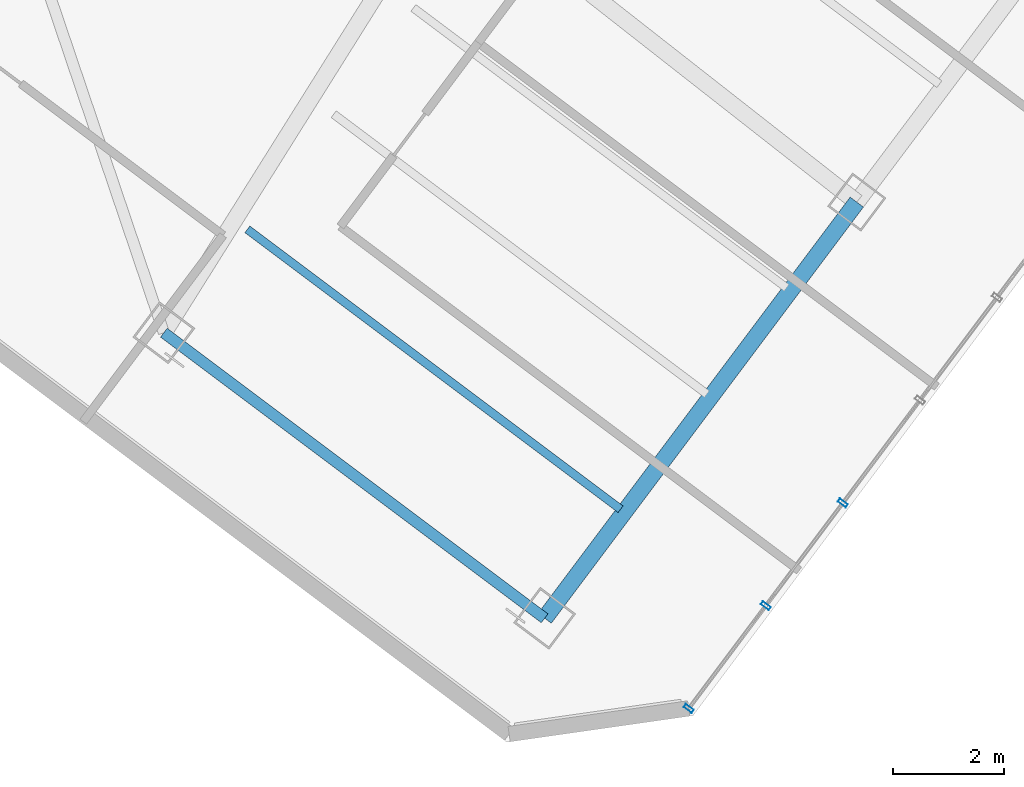
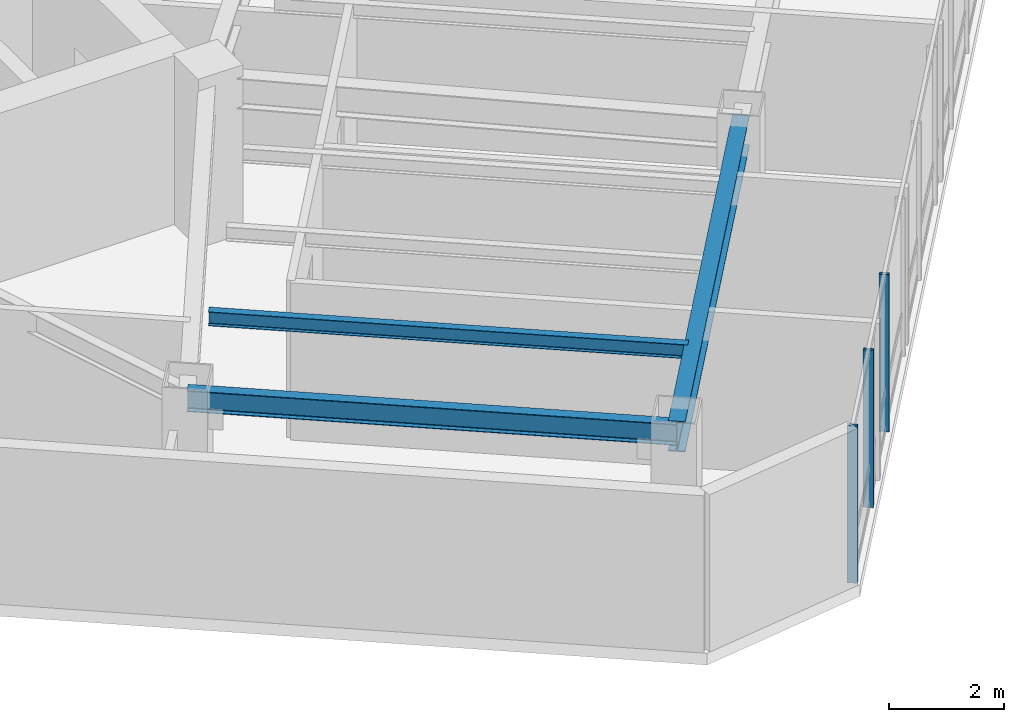
# One storey, part 10 of 27: 3 beams, 3 members, 1 element without a shape of its own.
"""IFC4 building model written with IfcOpenShell, lengths in metres."""

from ifc_helpers import new_model, si_unit, direction, frame, origin, origin_2d, place, context, subcontext, project, spatial, hollow_rectangle, i_section, extrude, material, layer, layer_set, material_profile, profile_set, type_object, element, aggregate, save


model = new_model("IFC4")

# Units and contexts
model_context = context("Model", 3, precision=1e-05, world=origin(), true_north=direction((0.0, 1.0)))
body_context = subcontext(model_context, "Body", "Model", "MODEL_VIEW")
ifc_project = project(units=[si_unit("LENGTHUNIT", "METRE"), si_unit("AREAUNIT", "SQUARE_METRE"), si_unit("VOLUMEUNIT", "CUBIC_METRE"), si_unit("PLANEANGLEUNIT", "RADIAN"), si_unit("MASSUNIT", "GRAM", prefix="KILO")], contexts=[model_context])

# Site, building, storey
site_placement = place(None, origin())
site = spatial("IfcSite", under=ifc_project, at=site_placement, CompositionType="ELEMENT")
building_placement = place(site_placement, origin())
building = spatial("IfcBuilding", under=site, at=building_placement, Name="Hatsunagi Terrace Concourse", CompositionType="ELEMENT")
storey_placement = place(building_placement, frame((0.0, 0.0, 163.64990234375)))
storey = spatial("IfcBuildingStorey", under=building, at=storey_placement, Name="L43", CompositionType="ELEMENT", Elevation=163.64990234375)

# Curtain wall, members
ifc_material_1 = material(Name="Anodised Aluminium Alloy 6063-T5", Category="aluminium")
ifc_layer = layer(ifc_material_1, 0.199951171875)
ifc_layer_set = layer_set([ifc_layer], Name="OfficeZone1_CW03")
curtain_wall_type = type_object("IfcCurtainWallType", Name="OfficeZone1_CW03", PredefinedType="NOTDEFINED", material=ifc_layer_set)
curtain_wall_placement = place(storey_placement, origin())
curtain_wall = element("IfcCurtainWall", 1, at=curtain_wall_placement, inside=storey, type_object=curtain_wall_type, Name="Unitised Curtain Wall CW-03 CW-L43-03", PredefinedType="NOTDEFINED")
ifc_material_2 = material(Name="Anodised Aluminium Alloy 6063-T5", Category="aluminium")
ifc_material_profile_1 = material_profile(ifc_material_2, hollow_rectangle(XDim=0.070068359375, YDim=0.179931640625, WallThickness=0.00390625, at=origin_2d()), Name="ALU-MUL-180x70x4")
ifc_profile_set_1 = profile_set([ifc_material_profile_1], Name="Anodised Aluminium Alloy 6063-T5")
member_type = type_object("IfcMemberType", Name="CurtainWallMullion_180x70", PredefinedType="MULLION", material=ifc_profile_set_1)
member_1_placement = place(storey_placement, frame((50.947021484375, 12.962890625, 0.0), z_axis=(0.0, 0.0, 1.0), x_axis=(-0.599969314634, -0.800023013105, 0.0)))
member_1 = element("IfcMember", 2, at=member_1_placement, type_object=member_type, Name="Curtain Wall Mullion MUL-02", PredefinedType="MULLION", context=body_context, shape_type="SweptSolid", body=[
    extrude(hollow_rectangle(XDim=0.070068359375, YDim=0.179931640625, WallThickness=0.00390625, at=origin_2d()), origin(), (0.0, 0.0, 1.0), 3.35009765625),
])
member_2_placement = place(storey_placement, frame((49.554931640625, 11.10595703125, 0.0), z_axis=(0.0, 0.0, 1.0), x_axis=(-0.599969314634, -0.800023013105, 0.0)))
member_2 = element("IfcMember", 3, at=member_2_placement, type_object=member_type, Name="Curtain Wall Mullion MUL-02", PredefinedType="MULLION", context=body_context, shape_type="SweptSolid", body=[
    extrude(hollow_rectangle(XDim=0.070068359375, YDim=0.179931640625, WallThickness=0.00390625, at=origin_2d()), origin(), (0.0, 0.0, 1.0), 3.35009765625),
])
member_3_placement = place(storey_placement, frame((48.1630859375, 9.25, 0.0), z_axis=(0.0, 0.0, 1.0), x_axis=(-0.599969314634, -0.800023013105, 0.0)))
member_3 = element("IfcMember", 4, at=member_3_placement, type_object=member_type, Name="Curtain Wall Mullion MUL-02", PredefinedType="MULLION", context=body_context, shape_type="SweptSolid", body=[
    extrude(hollow_rectangle(XDim=0.070068359375, YDim=0.179931640625, WallThickness=0.00390625, at=origin_2d()), origin(), (0.0, 0.0, 1.0), 3.35009765625),
])
aggregate(curtain_wall, [member_1, member_2, member_3])

# Beams
ifc_material_3 = material(Name="Steel SN490B", Category="steel")
ifc_material_profile_2 = material_profile(ifc_material_3, i_section(OverallWidth=0.14990234375, OverallDepth=0.300048828125, WebThickness=0.006591796875, FlangeThickness=0.009033203125, FilletRadius=0.010986328125, at=origin_2d()), Name="H-300x150x6.5x9")
ifc_profile_set_2 = profile_set([ifc_material_profile_2], Name="Steel SN490B")
beam_type_1 = type_object("IfcBeamType", Name="OfficeJoist_H_300x150", PredefinedType="JOIST", material=ifc_profile_set_2)
beam_1_placement = place(storey_placement, frame((40.18798828125, 17.908935546875, 3.2001953125), z_axis=(0.800003475366, -0.59999536615, 0.0), x_axis=(0.59999536615, 0.800003475366, 0.0)))
element("IfcBeam", 5, at=beam_1_placement, inside=storey, type_object=beam_type_1, Name="Beam J-03 J-L43-SE-2-46", PredefinedType="JOIST", context=body_context, shape_type="SweptSolid", body=[
    extrude(i_section(OverallWidth=0.14990234375, OverallDepth=0.300048828125, WebThickness=0.006591796875, FlangeThickness=0.009033203125, FilletRadius=0.010986328125, at=origin_2d()), origin(), (0.0, 0.0, 1.0), 8.429931640625),
])
ifc_material_4 = material(Name="Steel SN490B", Category="steel")
ifc_material_profile_3 = material_profile(ifc_material_4, i_section(OverallWidth=0.300048828125, OverallDepth=0.64990234375, WebThickness=0.012939453125, FlangeThickness=0.02197265625, FilletRadius=0.01806640625, at=origin_2d()), Name="H-650x300x13x22")
ifc_profile_set_3 = profile_set([ifc_material_profile_3], Name="Steel SN490B")
beam_type_2 = type_object("IfcBeamType", Name="OfficeLowGirder_H_650x300", PredefinedType="BEAM", material=ifc_profile_set_3)
beam_2_placement = place(storey_placement, frame((45.56005859375, 10.8798828125, 3.025146484375), z_axis=(0.599991688754, 0.800006233367, 0.0), x_axis=(-0.800006233367, 0.599991688754, 0.0)))
element("IfcBeam", 6, at=beam_2_placement, inside=storey, type_object=beam_type_2, Name="Beam G-05 BM-L43-SET-2A", PredefinedType="BEAM", context=body_context, shape_type="SweptSolid", body=[
    extrude(i_section(OverallWidth=0.300048828125, OverallDepth=0.64990234375, WebThickness=0.012939453125, FlangeThickness=0.02197265625, FilletRadius=0.01806640625, at=origin_2d()), origin(), (0.0, 0.0, 1.0), 9.39990234375),
])
ifc_material_5 = material(Name="Steel SN490B", Category="steel")
ifc_material_profile_4 = material_profile(ifc_material_5, i_section(OverallWidth=0.199951171875, OverallDepth=0.449951171875, WebThickness=0.009033203125, FlangeThickness=0.013916015625, FilletRadius=0.01611328125, at=origin_2d()), Name="H-450x200x9x14")
ifc_profile_set_4 = profile_set([ifc_material_profile_4], Name="Steel SN490B")
beam_type_3 = type_object("IfcBeamType", Name="PerimeterSpandrel_H_450x200", PredefinedType="SPANDREL", material=ifc_profile_set_4)
beam_3_placement = place(storey_placement, frame((38.679931640625, 16.0400390625, 3.125), z_axis=(0.799996593451, -0.600004542038, 0.0), x_axis=(0.600004542038, 0.799996593451, 0.0)))
element("IfcBeam", 7, at=beam_3_placement, inside=storey, type_object=beam_type_3, Name="Beam SP-02 BM-L43-SE-SW2", PredefinedType="SPANDREL", context=body_context, shape_type="SweptSolid", body=[
    extrude(i_section(OverallWidth=0.199951171875, OverallDepth=0.449951171875, WebThickness=0.009033203125, FlangeThickness=0.013916015625, FilletRadius=0.01611328125, at=origin_2d()), origin(), (0.0, 0.0, 1.0), 8.60009765625),
])

save(model, "model.ifc")
